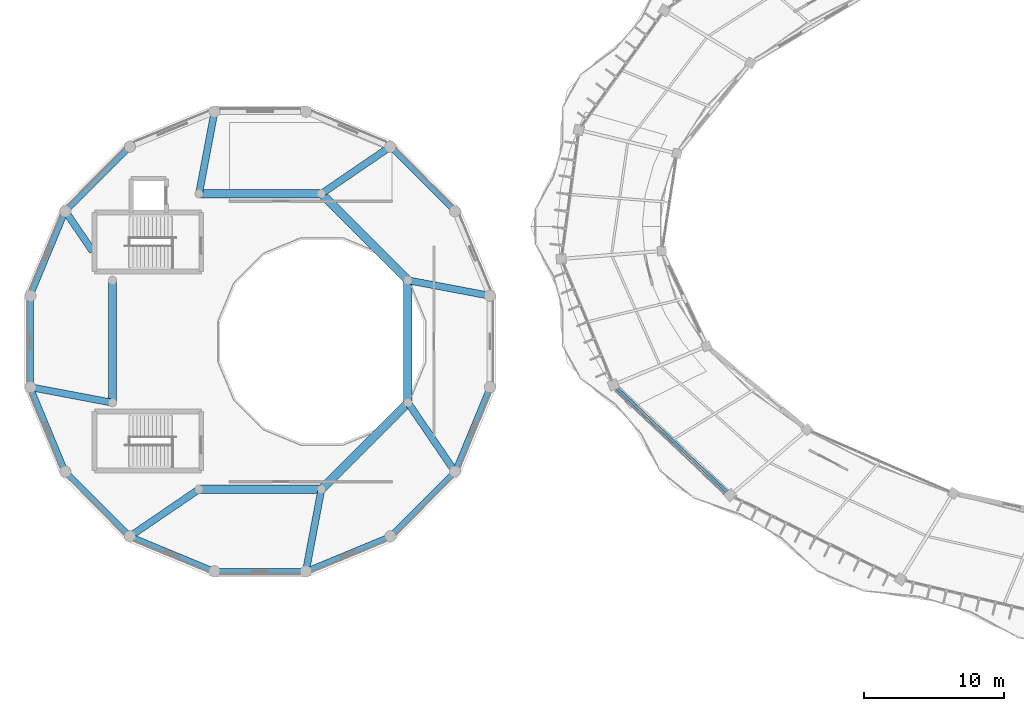
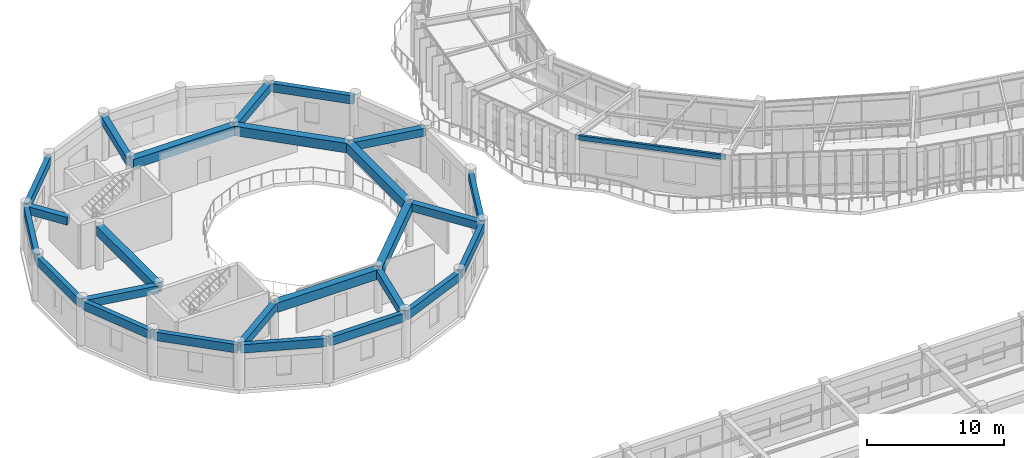
# One storey, part 32 of 138: 26 beams.
"""IFC4 building model written with IfcOpenShell, lengths in metres."""

from ifc_helpers import new_model, si_unit, direction, frame, origin, origin_2d, place, context, subcontext, project, spatial, rectangle, hollow_rectangle, extrude, material, material_profile, profile_set, type_object, element, save


model = new_model("IFC4")

# Units and contexts
model_context = context("Model", 3, precision=1e-05, world=origin(), true_north=direction((0.0, 1.0)))
body_context = subcontext(model_context, "Body", "Model", "MODEL_VIEW")
ifc_project = project(units=[si_unit("LENGTHUNIT", "METRE"), si_unit("AREAUNIT", "SQUARE_METRE"), si_unit("VOLUMEUNIT", "CUBIC_METRE"), si_unit("PLANEANGLEUNIT", "RADIAN"), si_unit("MASSUNIT", "GRAM", prefix="KILO"), si_unit("THERMODYNAMICTEMPERATUREUNIT", "KELVIN"), si_unit("POWERUNIT", "WATT")], contexts=[model_context])

# Site, building, storey
site_placement = place(None, origin())
site = spatial("IfcSite", under=ifc_project, at=site_placement, CompositionType="ELEMENT")
building_placement = place(site_placement, origin())
building = spatial("IfcBuilding", under=site, at=building_placement, Name="Darbajah Civic Hall", CompositionType="ELEMENT")
storey_placement = place(building_placement, frame((0.0, 0.0, 9.60009765625)))
storey = spatial("IfcBuildingStorey", under=building, at=storey_placement, Name="L02", CompositionType="ELEMENT", Elevation=9.60009765625)

# Beams
ifc_material_1 = material(Name="Concrete C45/55", Category="concrete")
ifc_material_profile_1 = material_profile(ifc_material_1, rectangle(XDim=0.5, YDim=0.699951171875, at=origin_2d()), Name="RC BEAM 500x700")
ifc_profile_set_1 = profile_set([ifc_material_profile_1], Name="Concrete C45/55")
beam_type_1 = type_object("IfcBeamType", Name="RC BEAM 500x700", PredefinedType="BEAM", material=ifc_profile_set_1)
for number, where, z_axis, x_axis, name in (
    (1, (27.410888671875, 85.94775390625, 3.52978515625), (0.982632316348, -0.185563279957, 0.0), (0.185563279957, 0.982632316348, 0.0), "L02 beam BM-5070"),
    (2, (21.228759765625, 92.17724609375, 3.52978515625), (0.826037882137, 0.563614599949, 0.0), (-0.563614599949, 0.826037882137, 0.0), "L02 beam BM-5070"),
):
    element("IfcBeam", number, at=place(storey_placement, frame(where, z_axis=z_axis, x_axis=x_axis)), inside=storey, type_object=beam_type_1, Name=name, PredefinedType="BEAM", context=body_context, shape_type="SweptSolid", body=[
        extrude(rectangle(XDim=0.5, YDim=0.699951171875, at=origin_2d()), origin(), (0.0, 0.0, 1.0), 5.781005859375),
    ])
beam_1_placement = place(storey_placement, frame((12.4521484375, 92.210693359375, 3.52978515625), z_axis=(0.185596354676, 0.982626069841, 0.0), x_axis=(-0.982626069841, 0.185596354676, 0.0)))
element("IfcBeam", 3, at=beam_1_placement, inside=storey, type_object=beam_type_1, Name="L02 beam BM-5070", PredefinedType="BEAM", context=body_context, shape_type="SweptSolid", body=[
    extrude(rectangle(XDim=0.5, YDim=0.699951171875, at=origin_2d()), origin(), (0.0, 0.0, 1.0), 5.78125),
])
beam_2_placement = place(storey_placement, frame((4.860107421875, 88.02587890625, 3.52978515625), z_axis=(-0.563629589976, 0.826027654079, 0.0), x_axis=(-0.826027654079, -0.563629589976, 0.0)))
element("IfcBeam", 4, at=beam_2_placement, inside=storey, type_object=beam_type_1, Name="L02 beam BM-5070", PredefinedType="BEAM", context=body_context, shape_type="SweptSolid", body=[
    extrude(rectangle(XDim=0.5, YDim=0.699951171875, at=origin_2d()), origin(), (0.0, 0.0, 1.0), 3.363525390625),
])
for number, where, z_axis, x_axis, name in (
    (5, (6.189208984375, 77.252197265625, 3.52978515625), (-0.982626069841, 0.185596354676, 0.0), (-0.185596354676, -0.982626069841, 0.0), "L02 beam BM-5070"),
    (6, (12.371337890625, 71.022705078125, 3.52978515625), (-0.826051296586, -0.563594939126, 0.0), (0.563594939126, -0.826051296586, 0.0), "L02 beam BM-5070"),
    (7, (21.147705078125, 70.9892578125, 3.52978515625), (-0.185555579839, -0.982633770431, 0.0), (0.982633770431, -0.185555579839, 0.0), "L02 beam BM-5070"),
    (8, (27.377197265625, 77.17138671875, 3.52978515625), (0.563594939126, -0.826051296586, 0.0), (0.826051296586, 0.563594939126, 0.0), "L02 beam BM-5070"),
):
    element("IfcBeam", number, at=place(storey_placement, frame(where, z_axis=z_axis, x_axis=x_axis)), inside=storey, type_object=beam_type_1, Name=name, PredefinedType="BEAM", context=body_context, shape_type="SweptSolid", body=[
        extrude(rectangle(XDim=0.5, YDim=0.699951171875, at=origin_2d()), origin(), (0.0, 0.0, 1.0), 5.78125),
    ])
ifc_material_2 = material(Name="Concrete C50/60", Category="concrete")
ifc_material_profile_2 = material_profile(ifc_material_2, rectangle(XDim=0.60009765625, YDim=0.85009765625, at=origin_2d()), Name="RC GIRDER 600x850")
ifc_profile_set_2 = profile_set([ifc_material_profile_2], Name="Concrete C50/60")
beam_type_2 = type_object("IfcBeamType", Name="RC GIRDER 600x850", PredefinedType="BEAM", material=ifc_profile_set_2)
beam_3_placement = place(storey_placement, frame((27.275634765625, 86.019287109375, 3.454833984375), z_axis=(-0.707106781187, 0.707106781187, 0.0), x_axis=(-0.707106781187, -0.707106781187, 0.0)))
element("IfcBeam", 9, at=beam_3_placement, inside=storey, type_object=beam_type_2, Name="L02 beam BG-6085", PredefinedType="BEAM", context=body_context, shape_type="SweptSolid", body=[
    extrude(rectangle(XDim=0.60009765625, YDim=0.85009765625, at=origin_2d()), origin(), (0.0, 0.0, 1.0), 8.56494140625),
])
for number, where, z_axis, x_axis, name in (
    (10, (21.08251953125, 92.132080078125, 3.454833984375), (-1.0, 0.0, 0.0), (0.0, -1.0, 0.0), "L02 beam BG-6085"),
    (11, (6.267822265625, 85.882568359375, 3.454833984375), (0.0, -1.0, 0.0), (1.0, 0.0, 0.0), "L02 beam BG-6085"),
    (12, (12.517333984375, 71.06787109375, 3.454833984375), (1.0, 0.0, 0.0), (0.0, 1.0, 0.0), "L02 beam BG-6085"),
):
    element("IfcBeam", number, at=place(storey_placement, frame(where, z_axis=z_axis, x_axis=x_axis)), inside=storey, type_object=beam_type_2, Name=name, PredefinedType="BEAM", context=body_context, shape_type="SweptSolid", body=[
        extrude(rectangle(XDim=0.60009765625, YDim=0.85009765625, at=origin_2d()), origin(), (0.0, 0.0, 1.0), 8.565185546875),
    ])
beam_4_placement = place(storey_placement, frame((21.21923828125, 71.12451171875, 3.454833984375), z_axis=(0.707106781187, 0.707106781187, 0.0), x_axis=(-0.707106781187, 0.707106781187, 0.0)))
element("IfcBeam", 13, at=beam_4_placement, inside=storey, type_object=beam_type_2, Name="L02 beam BG-6085", PredefinedType="BEAM", context=body_context, shape_type="SweptSolid", body=[
    extrude(rectangle(XDim=0.60009765625, YDim=0.85009765625, at=origin_2d()), origin(), (0.0, 0.0, 1.0), 8.56494140625),
])
beam_5_placement = place(storey_placement, frame((27.332275390625, 77.3173828125, 3.454833984375), z_axis=(0.0, 1.0, 0.0), x_axis=(-1.0, 0.0, 0.0)))
element("IfcBeam", 14, at=beam_5_placement, inside=storey, type_object=beam_type_2, Name="L02 beam BG-6085", PredefinedType="BEAM", context=body_context, shape_type="SweptSolid", body=[
    extrude(rectangle(XDim=0.60009765625, YDim=0.85009765625, at=origin_2d()), origin(), (0.0, 0.0, 1.0), 8.565185546875),
])
ifc_material_profile_3 = material_profile(ifc_material_1, rectangle(XDim=0.39990234375, YDim=0.75, at=origin_2d()), Name="RC SPANDREL 400x750")
ifc_profile_set_3 = profile_set([ifc_material_profile_3], Name="Concrete C45/55")
beam_type_3 = type_object("IfcBeamType", Name="RC SPANDREL 400x750", PredefinedType="SPANDREL", material=ifc_profile_set_3)
for number, where, z_axis, x_axis, name in (
    (15, (30.622802734375, 90.942138671875, 3.5048828125), (-0.707126045514, 0.707087516334, 0.0), (-0.707087516334, -0.707126045514, 0.0), "L02 beam SP-4075"),
    (16, (7.4580078125, 95.422607421875, 3.5048828125), (-0.707126045514, -0.707087516334, 0.0), (0.707087516334, -0.707126045514, 0.0), "L02 beam SP-4075"),
    (17, (2.87939453125, 90.79541015625, 3.5048828125), (-0.382715898409, -0.923866083967, 0.0), (0.923866083967, -0.382715898409, 0.0), "L02 beam SP-4075"),
    (18, (0.419921875, 84.768310546875, 3.5048828125), (0.0, -1.0, 0.0), (1.0, 0.0, 0.0), "L02 beam SP-4075"),
):
    element("IfcBeam", number, at=place(storey_placement, frame(where, z_axis=z_axis, x_axis=x_axis)), inside=storey, type_object=beam_type_3, Name=name, PredefinedType="SPANDREL", context=body_context, shape_type="SweptSolid", body=[
        extrude(rectangle(XDim=0.39990234375, YDim=0.75, at=origin_2d()), origin(), (0.0, 0.0, 1.0), 6.33642578125),
    ])
beam_6_placement = place(storey_placement, frame((0.454345703125, 78.2587890625, 3.5048828125), z_axis=(0.382702275575, -0.923871727173, 0.0), x_axis=(0.923871727173, 0.382702275575, 0.0)))
element("IfcBeam", 19, at=beam_6_placement, inside=storey, type_object=beam_type_3, Name="L02 beam SP-4075", PredefinedType="SPANDREL", context=body_context, shape_type="SweptSolid", body=[
    extrude(rectangle(XDim=0.39990234375, YDim=0.75, at=origin_2d()), origin(), (0.0, 0.0, 1.0), 6.336669921875),
])
beam_7_placement = place(storey_placement, frame((2.977294921875, 72.2578125, 3.5048828125), z_axis=(0.707126045514, -0.707087516334, 0.0), x_axis=(0.707087516334, 0.707126045514, 0.0)))
element("IfcBeam", 20, at=beam_7_placement, inside=storey, type_object=beam_type_3, Name="L02 beam SP-4075", PredefinedType="SPANDREL", context=body_context, shape_type="SweptSolid", body=[
    extrude(rectangle(XDim=0.39990234375, YDim=0.75, at=origin_2d()), origin(), (0.0, 0.0, 1.0), 6.33642578125),
])
beam_8_placement = place(storey_placement, frame((7.6044921875, 67.67919921875, 3.5048828125), z_axis=(0.923885349179, -0.382669389384, 0.0), x_axis=(0.382669389384, 0.923885349179, 0.0)))
element("IfcBeam", 21, at=beam_8_placement, inside=storey, type_object=beam_type_3, Name="L02 beam SP-4075", PredefinedType="SPANDREL", context=body_context, shape_type="SweptSolid", body=[
    extrude(rectangle(XDim=0.39990234375, YDim=0.75, at=origin_2d()), origin(), (0.0, 0.0, 1.0), 6.336669921875),
])
for number, where, z_axis, x_axis, name in (
    (22, (13.6318359375, 65.219970703125, 3.5048828125), (1.0, 0.0, 0.0), (0.0, 1.0, 0.0), "L02 beam SP-4075"),
    (23, (20.141357421875, 65.25439453125, 3.5048828125), (0.92387970686, 0.382683011449, 0.0), (-0.382683011449, 0.92387970686, 0.0), "L02 beam SP-4075"),
    (24, (26.14208984375, 67.77734375, 3.5048828125), (0.707126045514, 0.707087516334, 0.0), (-0.707087516334, 0.707126045514, 0.0), "L02 beam SP-4075"),
):
    element("IfcBeam", number, at=place(storey_placement, frame(where, z_axis=z_axis, x_axis=x_axis)), inside=storey, type_object=beam_type_3, Name=name, PredefinedType="SPANDREL", context=body_context, shape_type="SweptSolid", body=[
        extrude(rectangle(XDim=0.39990234375, YDim=0.75, at=origin_2d()), origin(), (0.0, 0.0, 1.0), 6.33642578125),
    ])
beam_9_placement = place(storey_placement, frame((30.720703125, 72.404541015625, 3.5048828125), z_axis=(0.382669389384, 0.923885349179, 0.0), x_axis=(-0.923885349179, 0.382669389384, 0.0)))
element("IfcBeam", 25, at=beam_9_placement, inside=storey, type_object=beam_type_3, Name="L02 beam SP-4075", PredefinedType="SPANDREL", context=body_context, shape_type="SweptSolid", body=[
    extrude(rectangle(XDim=0.39990234375, YDim=0.75, at=origin_2d()), origin(), (0.0, 0.0, 1.0), 6.336669921875),
])
ifc_material_3 = material(Name="Steel S355JR", Category="steel")
ifc_material_profile_4 = material_profile(ifc_material_3, hollow_rectangle(XDim=0.199951171875, YDim=0.39990234375, WallThickness=0.013916015625, at=origin_2d()), Name="RHS 400x200x14")
ifc_profile_set_4 = profile_set([ifc_material_profile_4], Name="Steel S355JR")
beam_type_4 = type_object("IfcBeamType", Name="RHS 400x200x14", PredefinedType="SPANDREL", material=ifc_profile_set_4)
beam_10_placement = place(storey_placement, frame((42.040283203125, 78.455810546875, 3.719970703125), z_axis=(0.727210771045, -0.686414229512, 0.0), x_axis=(0.686414229512, 0.727210771045, 0.0)))
element("IfcBeam", 26, at=beam_10_placement, inside=storey, type_object=beam_type_4, Name="L02 beam SP-RHS400", PredefinedType="SPANDREL", context=body_context, shape_type="SweptSolid", body=[
    extrude(hollow_rectangle(XDim=0.199951171875, YDim=0.39990234375, WallThickness=0.013916015625, at=origin_2d()), origin(), (0.0, 0.0, 1.0), 11.304443359375),
])

save(model, "model.ifc")
